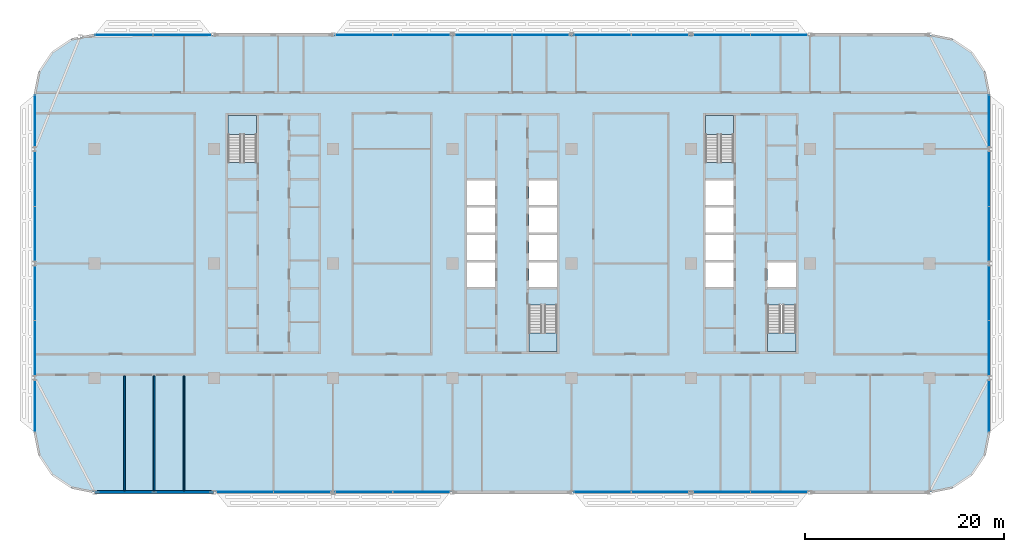
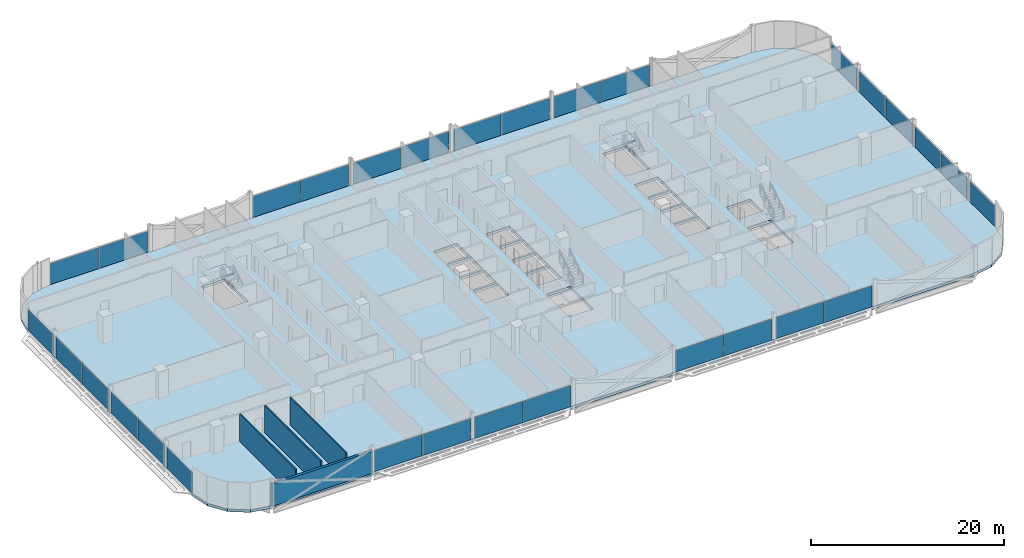
# One storey, part 10 of 27: 30 plates, 5 slabs, 4 walls, 21 elements without a shape of their own.
"""IFC4 building model written with IfcOpenShell, lengths in metres."""

from ifc_helpers import new_model, si_unit, direction, frame, frame_2d, origin, origin_2d, place, context, subcontext, project, spatial, polyline, rectangle, outline, extrude, material, layer, layer_set, type_object, element, aggregate, save


model = new_model("IFC4")

# Units and contexts
model_context = context("Model", 3, precision=1e-05, world=origin(), true_north=direction((0.0, 1.0)))
body_context = subcontext(model_context, "Body", "Model", "MODEL_VIEW")
ifc_project = project(units=[si_unit("LENGTHUNIT", "METRE"), si_unit("AREAUNIT", "SQUARE_METRE"), si_unit("VOLUMEUNIT", "CUBIC_METRE"), si_unit("PLANEANGLEUNIT", "RADIAN"), si_unit("MASSUNIT", "GRAM", prefix="KILO")], contexts=[model_context])

# Site, building, storey
site_placement = place(None, origin())
site = spatial("IfcSite", under=ifc_project, at=site_placement, CompositionType="ELEMENT")
building_placement = place(site_placement, origin())
building = spatial("IfcBuilding", under=site, at=building_placement, Name="Mahtab Terrace Research Tower", CompositionType="ELEMENT")
storey_placement = place(building_placement, frame((0.0, 0.0, 178.199951171875)))
storey = spatial("IfcBuildingStorey", under=building, at=storey_placement, Name="L42", CompositionType="ELEMENT", Elevation=178.199951171875)

# Stair, slab
ifc_material_1 = material(Name="Exit stair half-turn")
stair_type = type_object("IfcStairType", Name="Exit stair half-turn", PredefinedType="HALF_TURN_STAIR", material=ifc_material_1)
stair_1_placement = place(storey_placement, origin())
stair_1 = element("IfcStair", 1, at=stair_1_placement, inside=storey, type_object=stair_type, Name="L42 Protected exit stair ST1", PredefinedType="HALF_TURN_STAIR")
ifc_material_2 = material(Name="Concrete C40/50", Category="concrete")
ifc_layer_1 = layer(ifc_material_2, 0.199951171875)
ifc_layer_set_1 = layer_set([ifc_layer_1], Name="Exit stair landing 200")
slab_type_1 = type_object("IfcSlabType", Name="Exit stair landing 200", PredefinedType="LANDING", material=ifc_layer_set_1)
slab_1_placement = place(storey_placement, frame((0.0, 0.0, 1.699951171875)))
slab_1 = element("IfcSlab", 2, at=slab_1_placement, type_object=slab_type_1, Name="ST1 landing 1", PredefinedType="LANDING", context=body_context, shape_type="SweptSolid", body=[
    extrude(outline(polyline([(-25.699951171875, 12.97509765625), (-25.699951171875, 14.875), (-28.550048828125, 14.875), (-28.550048828125, 12.97509765625), (-25.699951171875, 12.97509765625)])), origin(), (0.0, 0.0, 1.0), 0.2001953125),
])
aggregate(stair_1, [slab_1])

stair_2_placement = place(storey_placement, origin())
stair_2 = element("IfcStair", 3, at=stair_2_placement, inside=storey, type_object=stair_type, Name="L42 Protected exit stair ST2", PredefinedType="HALF_TURN_STAIR")
slab_2_placement = place(storey_placement, frame((0.0, 0.0, 1.699951171875)))
slab_2 = element("IfcSlab", 4, at=slab_2_placement, type_object=slab_type_1, Name="ST2 landing 1", PredefinedType="LANDING", context=body_context, shape_type="SweptSolid", body=[
    extrude(outline(polyline([(1.699951171875, -6.97509765625), (1.699951171875, -8.875), (4.550048828125, -8.875), (4.550048828125, -6.97509765625), (1.699951171875, -6.97509765625)])), origin(), (0.0, 0.0, 1.0), 0.2001953125),
])
aggregate(stair_2, [slab_2])

stair_3_placement = place(storey_placement, origin())
stair_3 = element("IfcStair", 5, at=stair_3_placement, inside=storey, type_object=stair_type, Name="L42 Protected exit stair ST3", PredefinedType="HALF_TURN_STAIR")
slab_3_placement = place(storey_placement, frame((0.0, 0.0, 1.699951171875)))
slab_3 = element("IfcSlab", 6, at=slab_3_placement, type_object=slab_type_1, Name="ST3 landing 1", PredefinedType="LANDING", context=body_context, shape_type="SweptSolid", body=[
    extrude(outline(polyline([(22.300048828125, 12.97509765625), (22.300048828125, 14.875), (19.449951171875, 14.875), (19.449951171875, 12.97509765625), (22.300048828125, 12.97509765625)])), origin(), (0.0, 0.0, 1.0), 0.2001953125),
])
aggregate(stair_3, [slab_3])

stair_4_placement = place(storey_placement, origin())
stair_4 = element("IfcStair", 7, at=stair_4_placement, inside=storey, type_object=stair_type, Name="L42 Protected exit stair ST4", PredefinedType="HALF_TURN_STAIR")
slab_4_placement = place(storey_placement, frame((0.0, 0.0, 1.699951171875)))
slab_4 = element("IfcSlab", 8, at=slab_4_placement, type_object=slab_type_1, Name="ST4 landing 1", PredefinedType="LANDING", context=body_context, shape_type="SweptSolid", body=[
    extrude(outline(polyline([(25.699951171875, -6.97509765625), (25.699951171875, -8.875), (28.550048828125, -8.875), (28.550048828125, -6.97509765625), (25.699951171875, -6.97509765625)])), origin(), (0.0, 0.0, 1.0), 0.2001953125),
])
aggregate(stair_4, [slab_4])

# Curtain wall, plates
ifc_material_3 = material(Name="Laboratory ribbon curtain wall")
curtain_wall_type = type_object("IfcCurtainWallType", Name="Laboratory ribbon curtain wall", PredefinedType="NOTDEFINED", material=ifc_material_3)
curtain_wall_1_placement = place(storey_placement, origin())
curtain_wall_1 = element("IfcCurtainWall", 9, at=curtain_wall_1_placement, inside=storey, type_object=curtain_wall_type, Name="EN.L42.3.4", PredefinedType="NOTDEFINED")
ifc_material_4 = material(Name="Dark glazing", Category="glass")
ifc_layer_2 = layer(ifc_material_4, 0.031982421875)
ifc_layer_set_2 = layer_set([ifc_layer_2], Name="Laboratory ribbon curtain wall glazing panel")
plate_type = type_object("IfcPlateType", Name="Laboratory ribbon curtain wall glazing panel", PredefinedType="CURTAIN_PANEL", material=ifc_layer_set_2)
plate_1_placement = place(storey_placement, frame((26.879638671875, 23.0, 0.0), z_axis=(0.0, 0.0, 1.0), x_axis=(-1.0, 0.0, 0.0)))
plate_1 = element("IfcPlate", 10, at=plate_1_placement, type_object=plate_type, Name="CWL-5 panel 1", PredefinedType="CURTAIN_PANEL", context=body_context, shape_type="SweptSolid", body=[
    extrude(rectangle(XDim=5.694580078125, YDim=0.031982421875, at=origin_2d()), origin(), (0.0, 0.0, 1.0), 2.681884765625),
])
plate_2_placement = place(storey_placement, frame((21.120361328125, 23.0, 0.0), z_axis=(0.0, 0.0, 1.0), x_axis=(-1.0, 0.0, 0.0)))
plate_2 = element("IfcPlate", 11, at=plate_2_placement, type_object=plate_type, Name="CWL-5 panel 2", PredefinedType="CURTAIN_PANEL", context=body_context, shape_type="SweptSolid", body=[
    extrude(rectangle(XDim=5.694580078125, YDim=0.031982421875, at=origin_2d()), origin(), (0.0, 0.0, 1.0), 2.681884765625),
])
aggregate(curtain_wall_1, [plate_1, plate_2])

curtain_wall_2_placement = place(storey_placement, origin())
curtain_wall_2 = element("IfcCurtainWall", 12, at=curtain_wall_2_placement, inside=storey, type_object=curtain_wall_type, Name="EN.L42.3.5", PredefinedType="NOTDEFINED")
plate_3_placement = place(storey_placement, frame((14.879638671875, 23.0, 0.0), z_axis=(0.0, 0.0, 1.0), x_axis=(-1.0, 0.0, 0.0)))
plate_3 = element("IfcPlate", 13, at=plate_3_placement, type_object=plate_type, Name="CWL-5 panel 1", PredefinedType="CURTAIN_PANEL", context=body_context, shape_type="SweptSolid", body=[
    extrude(rectangle(XDim=5.694580078125, YDim=0.031982421875, at=origin_2d()), origin(), (0.0, 0.0, 1.0), 2.681884765625),
])
plate_4_placement = place(storey_placement, frame((9.120361328125, 23.0, 0.0), z_axis=(0.0, 0.0, 1.0), x_axis=(-1.0, 0.0, 0.0)))
plate_4 = element("IfcPlate", 14, at=plate_4_placement, type_object=plate_type, Name="CWL-5 panel 2", PredefinedType="CURTAIN_PANEL", context=body_context, shape_type="SweptSolid", body=[
    extrude(rectangle(XDim=5.694580078125, YDim=0.031982421875, at=origin_2d()), origin(), (0.0, 0.0, 1.0), 2.681884765625),
])
aggregate(curtain_wall_2, [plate_3, plate_4])

curtain_wall_3_placement = place(storey_placement, origin())
curtain_wall_3 = element("IfcCurtainWall", 15, at=curtain_wall_3_placement, inside=storey, type_object=curtain_wall_type, Name="EN.L42.3.6", PredefinedType="NOTDEFINED")
plate_5_placement = place(storey_placement, frame((2.879638671875, 23.0, 0.0), z_axis=(0.0, 0.0, 1.0), x_axis=(-1.0, 0.0, 0.0)))
plate_5 = element("IfcPlate", 16, at=plate_5_placement, type_object=plate_type, Name="CWL-5 panel 1", PredefinedType="CURTAIN_PANEL", context=body_context, shape_type="SweptSolid", body=[
    extrude(rectangle(XDim=5.694580078125, YDim=0.031982421875, at=origin_2d()), origin(), (0.0, 0.0, 1.0), 2.681884765625),
])
plate_6_placement = place(storey_placement, frame((-2.879638671875, 23.0, 0.0), z_axis=(0.0, 0.0, 1.0), x_axis=(-1.0, 0.0, 0.0)))
plate_6 = element("IfcPlate", 17, at=plate_6_placement, type_object=plate_type, Name="CWL-5 panel 2", PredefinedType="CURTAIN_PANEL", context=body_context, shape_type="SweptSolid", body=[
    extrude(rectangle(XDim=5.694580078125, YDim=0.031982421875, at=origin_2d()), origin(), (0.0, 0.0, 1.0), 2.681884765625),
])
aggregate(curtain_wall_3, [plate_5, plate_6])

curtain_wall_4_placement = place(storey_placement, origin())
curtain_wall_4 = element("IfcCurtainWall", 18, at=curtain_wall_4_placement, inside=storey, type_object=curtain_wall_type, Name="EN.L42.3.7", PredefinedType="NOTDEFINED")
plate_7_placement = place(storey_placement, frame((-9.120361328125, 23.0, 0.0), z_axis=(0.0, 0.0, 1.0), x_axis=(-1.0, 0.0, 0.0)))
plate_7 = element("IfcPlate", 19, at=plate_7_placement, type_object=plate_type, Name="CWL-5 panel 1", PredefinedType="CURTAIN_PANEL", context=body_context, shape_type="SweptSolid", body=[
    extrude(rectangle(XDim=5.694580078125, YDim=0.031982421875, at=origin_2d()), origin(), (0.0, 0.0, 1.0), 2.681884765625),
])
plate_8_placement = place(storey_placement, frame((-14.879638671875, 23.0, 0.0), z_axis=(0.0, 0.0, 1.0), x_axis=(-1.0, 0.0, 0.0)))
plate_8 = element("IfcPlate", 20, at=plate_8_placement, type_object=plate_type, Name="CWL-5 panel 2", PredefinedType="CURTAIN_PANEL", context=body_context, shape_type="SweptSolid", body=[
    extrude(rectangle(XDim=5.694580078125, YDim=0.031982421875, at=origin_2d()), origin(), (0.0, 0.0, 1.0), 2.681884765625),
])
aggregate(curtain_wall_4, [plate_7, plate_8])

curtain_wall_5_placement = place(storey_placement, origin())
curtain_wall_5 = element("IfcCurtainWall", 21, at=curtain_wall_5_placement, inside=storey, type_object=curtain_wall_type, Name="EN.L42.3.9", PredefinedType="NOTDEFINED")
plate_9_placement = place(storey_placement, frame((-33.17236328125, 23.0, 0.0), z_axis=(0.0, 0.0, 1.0), x_axis=(-1.0, 0.0, 0.0)))
plate_9 = element("IfcPlate", 22, at=plate_9_placement, type_object=plate_type, Name="CWL-5 panel 1", PredefinedType="CURTAIN_PANEL", context=body_context, shape_type="SweptSolid", body=[
    extrude(rectangle(XDim=5.798583984375, YDim=0.031982421875, at=origin_2d()), origin(), (0.0, 0.0, 1.0), 2.681884765625),
])
plate_10_placement = place(storey_placement, frame((-39.03564453125, 23.0, 0.0), z_axis=(0.0, 0.0, 1.0), x_axis=(-1.0, 0.0, 0.0)))
plate_10 = element("IfcPlate", 23, at=plate_10_placement, type_object=plate_type, Name="CWL-5 panel 2", PredefinedType="CURTAIN_PANEL", context=body_context, shape_type="SweptSolid", body=[
    extrude(rectangle(XDim=5.798583984375, YDim=0.031982421875, at=origin_2d()), origin(), (0.0, 0.0, 1.0), 2.681884765625),
])
aggregate(curtain_wall_5, [plate_9, plate_10])

# Curtain wall, plate
curtain_wall_6_placement = place(storey_placement, origin())
curtain_wall_6 = element("IfcCurtainWall", 24, at=curtain_wall_6_placement, inside=storey, type_object=curtain_wall_type, Name="EN.L42.8.15", PredefinedType="NOTDEFINED")
plate_11_placement = place(storey_placement, frame((-48.0, 14.35400390625, 0.0), z_axis=(0.0, 0.0, 1.0), x_axis=(0.0, -1.0, 0.0)))
plate_11 = element("IfcPlate", 25, at=plate_11_placement, type_object=plate_type, Name="CWL-5 panel 1", PredefinedType="CURTAIN_PANEL", context=body_context, shape_type="SweptSolid", body=[
    extrude(rectangle(XDim=5.162109375, YDim=0.031982421875, at=origin_2d()), origin(), (0.0, 0.0, 1.0), 2.681884765625),
])
aggregate(curtain_wall_6, [plate_11])

# Curtain wall, plates
curtain_wall_7_placement = place(storey_placement, origin())
curtain_wall_7 = element("IfcCurtainWall", 26, at=curtain_wall_7_placement, inside=storey, type_object=curtain_wall_type, Name="EN.L42.8.16", PredefinedType="NOTDEFINED")
plate_12_placement = place(storey_placement, frame((-48.0, 8.504638671875, 0.0), z_axis=(0.0, 0.0, 1.0), x_axis=(0.0, -1.0, 0.0)))
plate_12 = element("IfcPlate", 27, at=plate_12_placement, type_object=plate_type, Name="CWL-5 panel 1", PredefinedType="CURTAIN_PANEL", context=body_context, shape_type="SweptSolid", body=[
    extrude(rectangle(XDim=5.444580078125, YDim=0.031982421875, at=origin_2d()), origin(), (0.0, 0.0, 1.0), 2.681884765625),
])
plate_13_placement = place(storey_placement, frame((-48.0, 2.995361328125, 0.0), z_axis=(0.0, 0.0, 1.0), x_axis=(0.0, -1.0, 0.0)))
plate_13 = element("IfcPlate", 28, at=plate_13_placement, type_object=plate_type, Name="CWL-5 panel 2", PredefinedType="CURTAIN_PANEL", context=body_context, shape_type="SweptSolid", body=[
    extrude(rectangle(XDim=5.444580078125, YDim=0.031982421875, at=origin_2d()), origin(), (0.0, 0.0, 1.0), 2.681884765625),
])
aggregate(curtain_wall_7, [plate_12, plate_13])

curtain_wall_8_placement = place(storey_placement, origin())
curtain_wall_8 = element("IfcCurtainWall", 29, at=curtain_wall_8_placement, inside=storey, type_object=curtain_wall_type, Name="EN.L42.8.17", PredefinedType="NOTDEFINED")
plate_14_placement = place(storey_placement, frame((-48.0, -2.995361328125, 0.0), z_axis=(0.0, 0.0, 1.0), x_axis=(0.0, -1.0, 0.0)))
plate_14 = element("IfcPlate", 30, at=plate_14_placement, type_object=plate_type, Name="CWL-5 panel 1", PredefinedType="CURTAIN_PANEL", context=body_context, shape_type="SweptSolid", body=[
    extrude(rectangle(XDim=5.444580078125, YDim=0.031982421875, at=origin_2d()), origin(), (0.0, 0.0, 1.0), 2.681884765625),
])
plate_15_placement = place(storey_placement, frame((-48.0, -8.504638671875, 0.0), z_axis=(0.0, 0.0, 1.0), x_axis=(0.0, -1.0, 0.0)))
plate_15 = element("IfcPlate", 31, at=plate_15_placement, type_object=plate_type, Name="CWL-5 panel 2", PredefinedType="CURTAIN_PANEL", context=body_context, shape_type="SweptSolid", body=[
    extrude(rectangle(XDim=5.444580078125, YDim=0.031982421875, at=origin_2d()), origin(), (0.0, 0.0, 1.0), 2.681884765625),
])
aggregate(curtain_wall_8, [plate_14, plate_15])

# Curtain wall, plate
curtain_wall_9_placement = place(storey_placement, origin())
curtain_wall_9 = element("IfcCurtainWall", 32, at=curtain_wall_9_placement, inside=storey, type_object=curtain_wall_type, Name="EN.L42.8.18", PredefinedType="NOTDEFINED")
plate_16_placement = place(storey_placement, frame((-48.0, -14.35400390625, 0.0), z_axis=(0.0, 0.0, 1.0), x_axis=(0.0, -1.0, 0.0)))
plate_16 = element("IfcPlate", 33, at=plate_16_placement, type_object=plate_type, Name="CWL-5 panel 1", PredefinedType="CURTAIN_PANEL", context=body_context, shape_type="SweptSolid", body=[
    extrude(rectangle(XDim=5.162109375, YDim=0.031982421875, at=origin_2d()), origin(), (0.0, 0.0, 1.0), 2.681884765625),
])
aggregate(curtain_wall_9, [plate_16])

# Curtain wall, plates
curtain_wall_10_placement = place(storey_placement, origin())
curtain_wall_10 = element("IfcCurtainWall", 34, at=curtain_wall_10_placement, inside=storey, type_object=curtain_wall_type, Name="EN.L42.13.24", PredefinedType="NOTDEFINED")
plate_17_placement = place(storey_placement, frame((-26.879638671875, -23.0, 0.0), z_axis=(0.0, 0.0, 1.0), x_axis=(1.0, 0.0, 0.0)))
plate_17 = element("IfcPlate", 35, at=plate_17_placement, type_object=plate_type, Name="CWL-5 panel 1", PredefinedType="CURTAIN_PANEL", context=body_context, shape_type="SweptSolid", body=[
    extrude(rectangle(XDim=5.694580078125, YDim=0.031982421875, at=origin_2d()), origin(), (0.0, 0.0, 1.0), 2.681884765625),
])
plate_18_placement = place(storey_placement, frame((-21.120361328125, -23.0, 0.0), z_axis=(0.0, 0.0, 1.0), x_axis=(1.0, 0.0, 0.0)))
plate_18 = element("IfcPlate", 36, at=plate_18_placement, type_object=plate_type, Name="CWL-5 panel 2", PredefinedType="CURTAIN_PANEL", context=body_context, shape_type="SweptSolid", body=[
    extrude(rectangle(XDim=5.694580078125, YDim=0.031982421875, at=origin_2d()), origin(), (0.0, 0.0, 1.0), 2.681884765625),
])
aggregate(curtain_wall_10, [plate_17, plate_18])

curtain_wall_11_placement = place(storey_placement, origin())
curtain_wall_11 = element("IfcCurtainWall", 37, at=curtain_wall_11_placement, inside=storey, type_object=curtain_wall_type, Name="EN.L42.13.25", PredefinedType="NOTDEFINED")
plate_19_placement = place(storey_placement, frame((-14.879638671875, -23.0, 0.0), z_axis=(0.0, 0.0, 1.0), x_axis=(1.0, 0.0, 0.0)))
plate_19 = element("IfcPlate", 38, at=plate_19_placement, type_object=plate_type, Name="CWL-5 panel 1", PredefinedType="CURTAIN_PANEL", context=body_context, shape_type="SweptSolid", body=[
    extrude(rectangle(XDim=5.694580078125, YDim=0.031982421875, at=origin_2d()), origin(), (0.0, 0.0, 1.0), 2.681884765625),
])
plate_20_placement = place(storey_placement, frame((-9.120361328125, -23.0, 0.0), z_axis=(0.0, 0.0, 1.0), x_axis=(1.0, 0.0, 0.0)))
plate_20 = element("IfcPlate", 39, at=plate_20_placement, type_object=plate_type, Name="CWL-5 panel 2", PredefinedType="CURTAIN_PANEL", context=body_context, shape_type="SweptSolid", body=[
    extrude(rectangle(XDim=5.694580078125, YDim=0.031982421875, at=origin_2d()), origin(), (0.0, 0.0, 1.0), 2.681884765625),
])
aggregate(curtain_wall_11, [plate_19, plate_20])

curtain_wall_12_placement = place(storey_placement, origin())
curtain_wall_12 = element("IfcCurtainWall", 40, at=curtain_wall_12_placement, inside=storey, type_object=curtain_wall_type, Name="EN.L42.13.27", PredefinedType="NOTDEFINED")
plate_21_placement = place(storey_placement, frame((9.120361328125, -23.0, 0.0), z_axis=(0.0, 0.0, 1.0), x_axis=(1.0, 0.0, 0.0)))
plate_21 = element("IfcPlate", 41, at=plate_21_placement, type_object=plate_type, Name="CWL-5 panel 1", PredefinedType="CURTAIN_PANEL", context=body_context, shape_type="SweptSolid", body=[
    extrude(rectangle(XDim=5.694580078125, YDim=0.031982421875, at=origin_2d()), origin(), (0.0, 0.0, 1.0), 2.681884765625),
])
plate_22_placement = place(storey_placement, frame((14.879638671875, -23.0, 0.0), z_axis=(0.0, 0.0, 1.0), x_axis=(1.0, 0.0, 0.0)))
plate_22 = element("IfcPlate", 42, at=plate_22_placement, type_object=plate_type, Name="CWL-5 panel 2", PredefinedType="CURTAIN_PANEL", context=body_context, shape_type="SweptSolid", body=[
    extrude(rectangle(XDim=5.694580078125, YDim=0.031982421875, at=origin_2d()), origin(), (0.0, 0.0, 1.0), 2.681884765625),
])
aggregate(curtain_wall_12, [plate_21, plate_22])

curtain_wall_13_placement = place(storey_placement, origin())
curtain_wall_13 = element("IfcCurtainWall", 43, at=curtain_wall_13_placement, inside=storey, type_object=curtain_wall_type, Name="EN.L42.13.28", PredefinedType="NOTDEFINED")
plate_23_placement = place(storey_placement, frame((21.120361328125, -23.0, 0.0), z_axis=(0.0, 0.0, 1.0), x_axis=(1.0, 0.0, 0.0)))
plate_23 = element("IfcPlate", 44, at=plate_23_placement, type_object=plate_type, Name="CWL-5 panel 1", PredefinedType="CURTAIN_PANEL", context=body_context, shape_type="SweptSolid", body=[
    extrude(rectangle(XDim=5.694580078125, YDim=0.031982421875, at=origin_2d()), origin(), (0.0, 0.0, 1.0), 2.681884765625),
])
plate_24_placement = place(storey_placement, frame((26.879638671875, -23.0, 0.0), z_axis=(0.0, 0.0, 1.0), x_axis=(1.0, 0.0, 0.0)))
plate_24 = element("IfcPlate", 45, at=plate_24_placement, type_object=plate_type, Name="CWL-5 panel 2", PredefinedType="CURTAIN_PANEL", context=body_context, shape_type="SweptSolid", body=[
    extrude(rectangle(XDim=5.694580078125, YDim=0.031982421875, at=origin_2d()), origin(), (0.0, 0.0, 1.0), 2.681884765625),
])
aggregate(curtain_wall_13, [plate_23, plate_24])

# Curtain wall, plate
curtain_wall_14_placement = place(storey_placement, origin())
curtain_wall_14 = element("IfcCurtainWall", 46, at=curtain_wall_14_placement, inside=storey, type_object=curtain_wall_type, Name="EN.L42.18.34", PredefinedType="NOTDEFINED")
plate_25_placement = place(storey_placement, frame((48.0, -14.35400390625, 0.0), z_axis=(0.0, 0.0, 1.0), x_axis=(0.0, 1.0, 0.0)))
plate_25 = element("IfcPlate", 47, at=plate_25_placement, type_object=plate_type, Name="CWL-5 panel 1", PredefinedType="CURTAIN_PANEL", context=body_context, shape_type="SweptSolid", body=[
    extrude(rectangle(XDim=5.162109375, YDim=0.031982421875, at=origin_2d()), origin(), (0.0, 0.0, 1.0), 2.681884765625),
])
aggregate(curtain_wall_14, [plate_25])

# Curtain wall, plates
curtain_wall_15_placement = place(storey_placement, origin())
curtain_wall_15 = element("IfcCurtainWall", 48, at=curtain_wall_15_placement, inside=storey, type_object=curtain_wall_type, Name="EN.L42.18.35", PredefinedType="NOTDEFINED")
plate_26_placement = place(storey_placement, frame((48.0, -8.504638671875, 0.0), z_axis=(0.0, 0.0, 1.0), x_axis=(0.0, 1.0, 0.0)))
plate_26 = element("IfcPlate", 49, at=plate_26_placement, type_object=plate_type, Name="CWL-5 panel 1", PredefinedType="CURTAIN_PANEL", context=body_context, shape_type="SweptSolid", body=[
    extrude(rectangle(XDim=5.444580078125, YDim=0.031982421875, at=origin_2d()), origin(), (0.0, 0.0, 1.0), 2.681884765625),
])
plate_27_placement = place(storey_placement, frame((48.0, -2.995361328125, 0.0), z_axis=(0.0, 0.0, 1.0), x_axis=(0.0, 1.0, 0.0)))
plate_27 = element("IfcPlate", 50, at=plate_27_placement, type_object=plate_type, Name="CWL-5 panel 2", PredefinedType="CURTAIN_PANEL", context=body_context, shape_type="SweptSolid", body=[
    extrude(rectangle(XDim=5.444580078125, YDim=0.031982421875, at=origin_2d()), origin(), (0.0, 0.0, 1.0), 2.681884765625),
])
aggregate(curtain_wall_15, [plate_26, plate_27])

curtain_wall_16_placement = place(storey_placement, origin())
curtain_wall_16 = element("IfcCurtainWall", 51, at=curtain_wall_16_placement, inside=storey, type_object=curtain_wall_type, Name="EN.L42.18.36", PredefinedType="NOTDEFINED")
plate_28_placement = place(storey_placement, frame((48.0, 2.995361328125, 0.0), z_axis=(0.0, 0.0, 1.0), x_axis=(0.0, 1.0, 0.0)))
plate_28 = element("IfcPlate", 52, at=plate_28_placement, type_object=plate_type, Name="CWL-5 panel 1", PredefinedType="CURTAIN_PANEL", context=body_context, shape_type="SweptSolid", body=[
    extrude(rectangle(XDim=5.444580078125, YDim=0.031982421875, at=origin_2d()), origin(), (0.0, 0.0, 1.0), 2.681884765625),
])
plate_29_placement = place(storey_placement, frame((48.0, 8.504638671875, 0.0), z_axis=(0.0, 0.0, 1.0), x_axis=(0.0, 1.0, 0.0)))
plate_29 = element("IfcPlate", 53, at=plate_29_placement, type_object=plate_type, Name="CWL-5 panel 2", PredefinedType="CURTAIN_PANEL", context=body_context, shape_type="SweptSolid", body=[
    extrude(rectangle(XDim=5.444580078125, YDim=0.031982421875, at=origin_2d()), origin(), (0.0, 0.0, 1.0), 2.681884765625),
])
aggregate(curtain_wall_16, [plate_28, plate_29])

# Curtain wall, plate
curtain_wall_17_placement = place(storey_placement, origin())
curtain_wall_17 = element("IfcCurtainWall", 54, at=curtain_wall_17_placement, inside=storey, type_object=curtain_wall_type, Name="EN.L42.18.37", PredefinedType="NOTDEFINED")
plate_30_placement = place(storey_placement, frame((48.0, 14.35400390625, 0.0), z_axis=(0.0, 0.0, 1.0), x_axis=(0.0, 1.0, 0.0)))
plate_30 = element("IfcPlate", 55, at=plate_30_placement, type_object=plate_type, Name="CWL-5 panel 1", PredefinedType="CURTAIN_PANEL", context=body_context, shape_type="SweptSolid", body=[
    extrude(rectangle(XDim=5.162109375, YDim=0.031982421875, at=origin_2d()), origin(), (0.0, 0.0, 1.0), 2.681884765625),
])
aggregate(curtain_wall_17, [plate_30])

# Slab
ifc_layer_3 = layer(ifc_material_2, 0.340087890625)
ifc_layer_set_3 = layer_set([ifc_layer_3], Name="PT flat slab 340")
slab_type_2 = type_object("IfcSlabType", Name="PT flat slab 340", PredefinedType="FLOOR", material=ifc_layer_set_3)
slab_5_placement = place(storey_placement, frame((0.0, 0.0, -0.33984375)))
element("IfcSlab", 56, at=slab_5_placement, inside=storey, type_object=slab_type_2, Name="Floor slab L42", PredefinedType="FLOOR", context=body_context, shape_type="SweptSolid", body=[
    extrude(outline(polyline([(47.54296875, 19.2958984375), (46.242919921875, 21.242919921875), (44.2958984375, 22.54296875), (42.0, 23.0), (-42.0, 23.0), (-44.2958984375, 22.54296875), (-46.242919921875, 21.242919921875), (-47.54296875, 19.2958984375), (-48.0, 17.0), (-48.0, -17.0), (-47.54296875, -19.2958984375), (-46.242919921875, -21.242919921875), (-44.2958984375, -22.54296875), (-42.0, -23.0), (42.0, -23.0), (44.2958984375, -22.54296875), (46.242919921875, -21.242919921875), (47.54296875, -19.2958984375), (48.0, -17.0), (48.0, 17.0), (47.54296875, 19.2958984375)]), holes=[polyline([(-4.550048828125, -2.375), (-4.550048828125, 0.125), (-1.699951171875, 0.125), (-1.699951171875, -2.375), (-4.550048828125, -2.375)]), polyline([(1.699951171875, -2.375), (1.699951171875, 0.125), (4.550048828125, 0.125), (4.550048828125, -2.375), (1.699951171875, -2.375)]), polyline([(-4.550048828125, 0.375), (-4.550048828125, 2.875), (-1.699951171875, 2.875), (-1.699951171875, 0.375), (-4.550048828125, 0.375)]), polyline([(1.699951171875, 0.375), (1.699951171875, 2.875), (4.550048828125, 2.875), (4.550048828125, 0.375), (1.699951171875, 0.375)]), polyline([(-4.550048828125, 3.125), (-4.550048828125, 5.625), (-1.699951171875, 5.625), (-1.699951171875, 3.125), (-4.550048828125, 3.125)]), polyline([(1.699951171875, 3.125), (1.699951171875, 5.625), (4.550048828125, 5.625), (4.550048828125, 3.125), (1.699951171875, 3.125)]), polyline([(-4.550048828125, 5.875), (-4.550048828125, 8.375), (-1.699951171875, 8.375), (-1.699951171875, 5.875), (-4.550048828125, 5.875)]), polyline([(1.699951171875, 5.875), (1.699951171875, 8.375), (4.550048828125, 8.375), (4.550048828125, 5.875), (1.699951171875, 5.875)]), polyline([(-28.550048828125, 10.177001953125), (-28.550048828125, 14.875), (-25.699951171875, 14.875), (-25.699951171875, 10.177001953125), (-28.550048828125, 10.177001953125)]), polyline([(1.699951171875, -8.875), (1.699951171875, -4.177001953125), (4.550048828125, -4.177001953125), (4.550048828125, -8.875), (1.699951171875, -8.875)]), polyline([(25.699951171875, -8.875), (25.699951171875, -4.177001953125), (28.550048828125, -4.177001953125), (28.550048828125, -8.875), (25.699951171875, -8.875)]), polyline([(19.449951171875, -2.375), (19.449951171875, 0.125), (22.300048828125, 0.125), (22.300048828125, -2.375), (19.449951171875, -2.375)]), polyline([(25.699951171875, -2.375), (25.699951171875, 0.125), (28.550048828125, 0.125), (28.550048828125, -2.375), (25.699951171875, -2.375)]), polyline([(19.449951171875, 0.375), (19.449951171875, 2.875), (22.300048828125, 2.875), (22.300048828125, 0.375), (19.449951171875, 0.375)]), polyline([(19.449951171875, 3.125), (19.449951171875, 5.625), (22.300048828125, 5.625), (22.300048828125, 3.125), (19.449951171875, 3.125)]), polyline([(19.449951171875, 8.375), (22.300048828125, 8.375), (22.300048828125, 5.875), (19.449951171875, 5.875), (19.449951171875, 8.375)]), polyline([(19.449951171875, 14.875), (22.300048828125, 14.875), (22.300048828125, 10.177001953125), (19.449951171875, 10.177001953125), (19.449951171875, 14.875)])]), origin(), (0.0, 0.0, 1.0), 0.33984375),
])

# Walls
ifc_material_5 = material(Name="Black aluminium cladding panel", Category="aluminium")
ifc_layer_4 = layer(ifc_material_5, 0.300048828125)
ifc_layer_set_4 = layer_set([ifc_layer_4], Name="Opaque facade wall 300")
wall_type_1 = type_object("IfcWallType", Name="Opaque facade wall 300", PredefinedType="NOTDEFINED", material=ifc_layer_set_4)
wall_placement = place(storey_placement, frame((-41.985107421875, -23.0, 0.0), z_axis=(0.0, 0.0, 1.0), x_axis=(1.0, 0.0, 0.0)))
element("IfcWall", 57, at=wall_placement, inside=storey, type_object=wall_type_1, Name="Opaque facade wall L42 S23", PredefinedType="NOTDEFINED", context=body_context, shape_type="SweptSolid", body=[
    extrude(rectangle(XDim=11.97021484375, YDim=0.300048828125, at=frame_2d((5.985107421875, 0.0))), origin(), (0.0, 0.0, 1.0), 2.78173828125),
])
ifc_material_6 = material(Name="Gypsum board partition on steel studs", Category="steel")
ifc_layer_5 = layer(ifc_material_6, 0.14990234375)
ifc_layer_set_5 = layer_set([ifc_layer_5], Name="WALL PARTITION 150")
wall_type_2 = type_object("IfcWallType", Name="WALL PARTITION 150", PredefinedType="PARTITIONING", material=ifc_layer_set_5)
for number, where, z_axis, x_axis, name in (
    (58, (-39.0, -22.85009765625, 0.0), (0.0, 0.0, 1.0), (0.0, 1.0, 0.0), "L42-W028"),
    (59, (-36.0, -22.85009765625, 0.0), (0.0, 0.0, 1.0), (0.0, 1.0, 0.0), "L42-W029"),
    (60, (-33.0, -22.85009765625, 0.0), (0.0, 0.0, 1.0), (0.0, 1.0, 0.0), "L42-W030"),
):
    element("IfcWall", number, at=place(storey_placement, frame(where, z_axis=z_axis, x_axis=x_axis)), inside=storey, type_object=wall_type_2, Name=name, PredefinedType="PARTITIONING", context=body_context, shape_type="SweptSolid", body=[
        extrude(rectangle(XDim=11.550048828125, YDim=0.14990234375, at=frame_2d((5.77490234375, 0.0))), origin(), (0.0, 0.0, 1.0), 3.4599609375),
    ])

save(model, "model.ifc")
